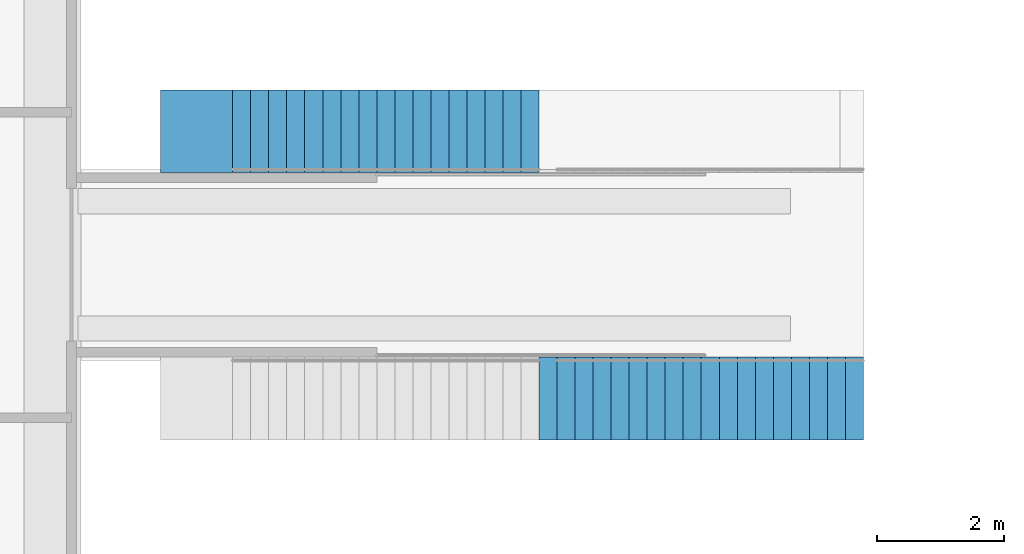
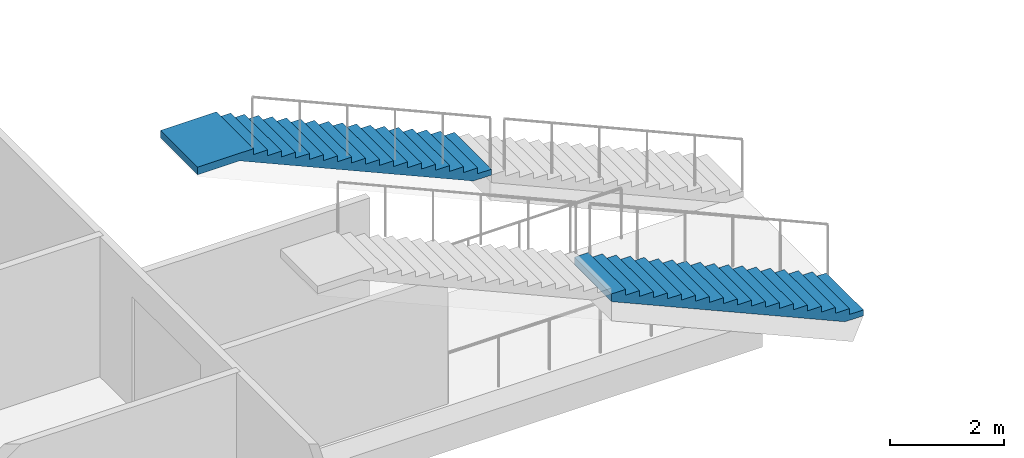
# One storey, part 86 of 175: 2 stair flights, 2 elements without a shape of their own.
"""IFC4 building model written with IfcOpenShell, lengths in metres."""

from ifc_helpers import new_model, si_unit, direction, frame, origin, place, context, subcontext, project, spatial, faceted_brep, material, type_object, element, aggregate, save


model = new_model("IFC4")

# Units and contexts
model_context = context("Model", 3, precision=1e-05, world=origin(), true_north=direction((0.0, 1.0)))
body_context = subcontext(model_context, "Body", "Model", "MODEL_VIEW")
ifc_project = project(units=[si_unit("LENGTHUNIT", "METRE"), si_unit("AREAUNIT", "SQUARE_METRE"), si_unit("VOLUMEUNIT", "CUBIC_METRE"), si_unit("PLANEANGLEUNIT", "RADIAN"), si_unit("MASSUNIT", "GRAM", prefix="KILO")], contexts=[model_context])

# Site, building, storey
site_placement = place(None, origin())
site = spatial("IfcSite", under=ifc_project, at=site_placement, CompositionType="ELEMENT")
building_placement = place(site_placement, origin())
building = spatial("IfcBuilding", under=site, at=building_placement, Name="Ogive Plaza Stadium", CompositionType="ELEMENT")
storey_placement = place(building_placement, origin())
storey = spatial("IfcBuildingStorey", under=building, at=storey_placement, Name="L00", CompositionType="ELEMENT", Elevation=0.0)

# Stair, stair flight
ifc_material_1 = material(Name="Concrete C40/50", Category="concrete")
stair_type = type_object("IfcStairType", Name="Aisle stair", PredefinedType="STRAIGHT_RUN_STAIR", material=ifc_material_1)
stair_1_placement = place(storey_placement, origin())
stair_1 = element("IfcStair", 1, at=stair_1_placement, inside=storey, type_object=stair_type, Name="Aisle stair SA25L", PredefinedType="STRAIGHT_RUN_STAIR")
ifc_material_2 = material(Name="Concrete C40/50", Category="concrete")
stair_flight_type = type_object("IfcStairFlightType", Name="Aisle stair flight", PredefinedType="STRAIGHT", material=ifc_material_2)
stair_flight_1_placement = place(storey_placement, frame((-54.25, 17.10009765625, 2.25), z_axis=(0.0, 0.0, 1.0), x_axis=(-1.0, 0.0, 0.0)))
stair_flight_1 = element("IfcStairFlight", 2, at=stair_flight_1_placement, type_object=stair_flight_type, Name="SA25L flight 2", NumberOfRisers=18, NumberOfTreads=17, PredefinedType="STRAIGHT", RiserHeight=0.125, TreadLength=0.283333333, context=body_context, shape_type="Brep", body=[
    faceted_brep([(0.371337890625, -0.64990234375, 0.0), (5.10009765625, -0.64990234375, 2.086181640625), (5.949951171875, -0.64990234375, 2.086181640625), (5.949951171875, -0.64990234375, 2.25), (4.816650390625, -0.64990234375, 2.25), (4.816650390625, -0.64990234375, 2.125), (4.533447265625, -0.64990234375, 2.125), (4.533447265625, -0.64990234375, 2.0), (4.25, -0.64990234375, 2.0), (4.25, -0.64990234375, 1.875), (3.966552734375, -0.64990234375, 1.875), (3.966552734375, -0.64990234375, 1.75), (3.683349609375, -0.64990234375, 1.75), (3.683349609375, -0.64990234375, 1.625), (3.39990234375, -0.64990234375, 1.625), (3.39990234375, -0.64990234375, 1.5), (3.11669921875, -0.64990234375, 1.5), (3.11669921875, -0.64990234375, 1.375), (2.833251953125, -0.64990234375, 1.375), (2.833251953125, -0.64990234375, 1.25), (2.550048828125, -0.64990234375, 1.25), (2.550048828125, -0.64990234375, 1.125), (2.2666015625, -0.64990234375, 1.125), (2.2666015625, -0.64990234375, 1.0), (1.9833984375, -0.64990234375, 1.0), (1.9833984375, -0.64990234375, 0.875), (1.699951171875, -0.64990234375, 0.875), (1.699951171875, -0.64990234375, 0.75), (1.416748046875, -0.64990234375, 0.75), (1.416748046875, -0.64990234375, 0.625), (1.13330078125, -0.64990234375, 0.625), (1.13330078125, -0.64990234375, 0.5), (0.85009765625, -0.64990234375, 0.5), (0.85009765625, -0.64990234375, 0.375), (0.566650390625, -0.64990234375, 0.375), (0.566650390625, -0.64990234375, 0.25), (0.283447265625, -0.64990234375, 0.25), (0.283447265625, -0.64990234375, 0.125), (0.0, -0.64990234375, 0.125), (0.0, -0.64990234375, 0.0), (0.0, 0.64990234375, 0.0), (0.0, 0.64990234375, 0.125), (0.283447265625, 0.64990234375, 0.125), (0.283447265625, 0.64990234375, 0.25), (0.566650390625, 0.64990234375, 0.25), (0.566650390625, 0.64990234375, 0.375), (0.85009765625, 0.64990234375, 0.375), (0.85009765625, 0.64990234375, 0.5), (1.13330078125, 0.64990234375, 0.5), (1.13330078125, 0.64990234375, 0.625), (1.416748046875, 0.64990234375, 0.625), (1.416748046875, 0.64990234375, 0.75), (1.699951171875, 0.64990234375, 0.75), (1.699951171875, 0.64990234375, 0.875), (1.9833984375, 0.64990234375, 0.875), (1.9833984375, 0.64990234375, 1.0), (2.2666015625, 0.64990234375, 1.0), (2.2666015625, 0.64990234375, 1.125), (2.550048828125, 0.64990234375, 1.125), (2.550048828125, 0.64990234375, 1.25), (2.833251953125, 0.64990234375, 1.25), (2.833251953125, 0.64990234375, 1.375), (3.11669921875, 0.64990234375, 1.375), (3.11669921875, 0.64990234375, 1.5), (3.39990234375, 0.64990234375, 1.5), (3.39990234375, 0.64990234375, 1.625), (3.683349609375, 0.64990234375, 1.625), (3.683349609375, 0.64990234375, 1.75), (3.966552734375, 0.64990234375, 1.75), (3.966552734375, 0.64990234375, 1.875), (4.25, 0.64990234375, 1.875), (4.25, 0.64990234375, 2.0), (4.533447265625, 0.64990234375, 2.0), (4.533447265625, 0.64990234375, 2.125), (4.816650390625, 0.64990234375, 2.125), (4.816650390625, 0.64990234375, 2.25), (5.949951171875, 0.64990234375, 2.25), (5.949951171875, 0.64990234375, 2.086181640625), (5.10009765625, 0.64990234375, 2.086181640625), (0.371337890625, 0.64990234375, 0.0), (0.371337890625, -0.324951171875, 0.0), (5.10009765625, -0.324951171875, 2.086181640625), (0.371337890625, 0.0, 0.0), (5.10009765625, 0.0, 2.086181640625), (0.371337890625, 0.324951171875, 0.0), (5.10009765625, 0.324951171875, 2.086181640625), (5.949951171875, -0.324951171875, 2.086181640625), (5.949951171875, 0.0, 2.086181640625), (5.949951171875, 0.324951171875, 2.086181640625), (5.949951171875, -0.324951171875, 2.25), (5.949951171875, 0.0, 2.25), (5.949951171875, 0.324951171875, 2.25), (4.816650390625, -0.324951171875, 2.25), (4.816650390625, 0.0, 2.25), (4.816650390625, 0.324951171875, 2.25), (4.816650390625, -0.324951171875, 2.125), (4.816650390625, 0.0, 2.125), (4.816650390625, 0.324951171875, 2.125), (4.533447265625, -0.324951171875, 2.125), (4.533447265625, 0.0, 2.125), (4.533447265625, 0.324951171875, 2.125), (4.533447265625, -0.324951171875, 2.0), (4.533447265625, 0.0, 2.0), (4.533447265625, 0.324951171875, 2.0), (4.25, -0.324951171875, 2.0), (4.25, 0.0, 2.0), (4.25, 0.324951171875, 2.0), (4.25, -0.324951171875, 1.875), (4.25, 0.0, 1.875), (4.25, 0.324951171875, 1.875), (3.966552734375, -0.324951171875, 1.875), (3.966552734375, 0.0, 1.875), (3.966552734375, 0.324951171875, 1.875), (3.966552734375, -0.324951171875, 1.75), (3.966552734375, 0.0, 1.75), (3.966552734375, 0.324951171875, 1.75), (3.683349609375, -0.324951171875, 1.75), (3.683349609375, 0.0, 1.75), (3.683349609375, 0.324951171875, 1.75), (3.683349609375, -0.324951171875, 1.625), (3.683349609375, 0.0, 1.625), (3.683349609375, 0.324951171875, 1.625), (3.39990234375, -0.324951171875, 1.625), (3.39990234375, 0.0, 1.625), (3.39990234375, 0.324951171875, 1.625), (3.39990234375, -0.324951171875, 1.5), (3.39990234375, 0.0, 1.5), (3.39990234375, 0.324951171875, 1.5), (3.11669921875, -0.324951171875, 1.5), (3.11669921875, 0.0, 1.5), (3.11669921875, 0.324951171875, 1.5), (3.11669921875, -0.324951171875, 1.375), (3.11669921875, 0.0, 1.375), (3.11669921875, 0.324951171875, 1.375), (2.833251953125, -0.324951171875, 1.375), (2.833251953125, 0.0, 1.375), (2.833251953125, 0.324951171875, 1.375), (2.833251953125, -0.324951171875, 1.25), (2.833251953125, 0.0, 1.25), (2.833251953125, 0.324951171875, 1.25), (2.550048828125, -0.324951171875, 1.25), (2.550048828125, 0.0, 1.25), (2.550048828125, 0.324951171875, 1.25), (2.550048828125, -0.324951171875, 1.125), (2.550048828125, 0.0, 1.125), (2.550048828125, 0.324951171875, 1.125), (2.2666015625, -0.324951171875, 1.125), (2.2666015625, 0.0, 1.125), (2.2666015625, 0.324951171875, 1.125), (2.2666015625, -0.324951171875, 1.0), (2.2666015625, 0.0, 1.0), (2.2666015625, 0.324951171875, 1.0), (1.9833984375, -0.324951171875, 1.0), (1.9833984375, 0.0, 1.0), (1.9833984375, 0.324951171875, 1.0), (1.9833984375, -0.324951171875, 0.875), (1.9833984375, 0.0, 0.875), (1.9833984375, 0.324951171875, 0.875), (1.699951171875, -0.324951171875, 0.875), (1.699951171875, 0.0, 0.875), (1.699951171875, 0.324951171875, 0.875), (1.699951171875, -0.324951171875, 0.75), (1.699951171875, 0.0, 0.75), (1.699951171875, 0.324951171875, 0.75), (1.416748046875, -0.324951171875, 0.75), (1.416748046875, 0.0, 0.75), (1.416748046875, 0.324951171875, 0.75), (1.416748046875, -0.324951171875, 0.625), (1.416748046875, 0.0, 0.625), (1.416748046875, 0.324951171875, 0.625), (1.13330078125, -0.324951171875, 0.625), (1.13330078125, 0.0, 0.625), (1.13330078125, 0.324951171875, 0.625), (1.13330078125, -0.324951171875, 0.5), (1.13330078125, 0.0, 0.5), (1.13330078125, 0.324951171875, 0.5), (0.85009765625, -0.324951171875, 0.5), (0.85009765625, 0.0, 0.5), (0.85009765625, 0.324951171875, 0.5), (0.85009765625, -0.324951171875, 0.375), (0.85009765625, 0.0, 0.375), (0.85009765625, 0.324951171875, 0.375), (0.566650390625, -0.324951171875, 0.375), (0.566650390625, 0.0, 0.375), (0.566650390625, 0.324951171875, 0.375), (0.566650390625, -0.324951171875, 0.25), (0.566650390625, 0.0, 0.25), (0.566650390625, 0.324951171875, 0.25), (0.283447265625, -0.324951171875, 0.25), (0.283447265625, 0.0, 0.25), (0.283447265625, 0.324951171875, 0.25), (0.283447265625, -0.324951171875, 0.125), (0.283447265625, 0.0, 0.125), (0.283447265625, 0.324951171875, 0.125), (0.0, -0.324951171875, 0.125), (0.0, 0.0, 0.125), (0.0, 0.324951171875, 0.125), (0.0, -0.324951171875, 0.0), (0.0, 0.0, 0.0), (0.0, 0.324951171875, 0.0)], [[[0, 1, 2, 3, 4, 5, 6, 7, 8, 9, 10, 11, 12, 13, 14, 15, 16, 17, 18, 19, 20, 21, 22, 23, 24, 25, 26, 27, 28, 29, 30, 31, 32, 33, 34, 35, 36, 37, 38, 39]], [[40, 41, 42, 43, 44, 45, 46, 47, 48, 49, 50, 51, 52, 53, 54, 55, 56, 57, 58, 59, 60, 61, 62, 63, 64, 65, 66, 67, 68, 69, 70, 71, 72, 73, 74, 75, 76, 77, 78, 79]], [[0, 80, 81, 1]], [[80, 82, 83, 81]], [[82, 84, 85, 83]], [[84, 79, 78, 85]], [[1, 81, 86, 2]], [[81, 83, 87, 86]], [[83, 85, 88, 87]], [[85, 78, 77, 88]], [[2, 86, 89, 3]], [[86, 87, 90, 89]], [[87, 88, 91, 90]], [[88, 77, 76, 91]], [[3, 89, 92, 4]], [[89, 90, 93, 92]], [[90, 91, 94, 93]], [[91, 76, 75, 94]], [[4, 92, 95, 5]], [[92, 93, 96, 95]], [[93, 94, 97, 96]], [[94, 75, 74, 97]], [[5, 95, 98, 6]], [[95, 96, 99, 98]], [[96, 97, 100, 99]], [[97, 74, 73, 100]], [[6, 98, 101, 7]], [[98, 99, 102, 101]], [[99, 100, 103, 102]], [[100, 73, 72, 103]], [[7, 101, 104, 8]], [[101, 102, 105, 104]], [[102, 103, 106, 105]], [[103, 72, 71, 106]], [[8, 104, 107, 9]], [[104, 105, 108, 107]], [[105, 106, 109, 108]], [[106, 71, 70, 109]], [[9, 107, 110, 10]], [[107, 108, 111, 110]], [[108, 109, 112, 111]], [[109, 70, 69, 112]], [[10, 110, 113, 11]], [[110, 111, 114, 113]], [[111, 112, 115, 114]], [[112, 69, 68, 115]], [[11, 113, 116, 12]], [[113, 114, 117, 116]], [[114, 115, 118, 117]], [[115, 68, 67, 118]], [[12, 116, 119, 13]], [[116, 117, 120, 119]], [[117, 118, 121, 120]], [[118, 67, 66, 121]], [[13, 119, 122, 14]], [[119, 120, 123, 122]], [[120, 121, 124, 123]], [[121, 66, 65, 124]], [[14, 122, 125, 15]], [[122, 123, 126, 125]], [[123, 124, 127, 126]], [[124, 65, 64, 127]], [[15, 125, 128, 16]], [[125, 126, 129, 128]], [[126, 127, 130, 129]], [[127, 64, 63, 130]], [[16, 128, 131, 17]], [[128, 129, 132, 131]], [[129, 130, 133, 132]], [[130, 63, 62, 133]], [[17, 131, 134, 18]], [[131, 132, 135, 134]], [[132, 133, 136, 135]], [[133, 62, 61, 136]], [[18, 134, 137, 19]], [[134, 135, 138, 137]], [[135, 136, 139, 138]], [[136, 61, 60, 139]], [[19, 137, 140, 20]], [[137, 138, 141, 140]], [[138, 139, 142, 141]], [[139, 60, 59, 142]], [[20, 140, 143, 21]], [[140, 141, 144, 143]], [[141, 142, 145, 144]], [[142, 59, 58, 145]], [[21, 143, 146, 22]], [[143, 144, 147, 146]], [[144, 145, 148, 147]], [[145, 58, 57, 148]], [[22, 146, 149, 23]], [[146, 147, 150, 149]], [[147, 148, 151, 150]], [[148, 57, 56, 151]], [[23, 149, 152, 24]], [[149, 150, 153, 152]], [[150, 151, 154, 153]], [[151, 56, 55, 154]], [[24, 152, 155, 25]], [[152, 153, 156, 155]], [[153, 154, 157, 156]], [[154, 55, 54, 157]], [[25, 155, 158, 26]], [[155, 156, 159, 158]], [[156, 157, 160, 159]], [[157, 54, 53, 160]], [[26, 158, 161, 27]], [[158, 159, 162, 161]], [[159, 160, 163, 162]], [[160, 53, 52, 163]], [[27, 161, 164, 28]], [[161, 162, 165, 164]], [[162, 163, 166, 165]], [[163, 52, 51, 166]], [[28, 164, 167, 29]], [[164, 165, 168, 167]], [[165, 166, 169, 168]], [[166, 51, 50, 169]], [[29, 167, 170, 30]], [[167, 168, 171, 170]], [[168, 169, 172, 171]], [[169, 50, 49, 172]], [[30, 170, 173, 31]], [[170, 171, 174, 173]], [[171, 172, 175, 174]], [[172, 49, 48, 175]], [[31, 173, 176, 32]], [[173, 174, 177, 176]], [[174, 175, 178, 177]], [[175, 48, 47, 178]], [[32, 176, 179, 33]], [[176, 177, 180, 179]], [[177, 178, 181, 180]], [[178, 47, 46, 181]], [[33, 179, 182, 34]], [[179, 180, 183, 182]], [[180, 181, 184, 183]], [[181, 46, 45, 184]], [[34, 182, 185, 35]], [[182, 183, 186, 185]], [[183, 184, 187, 186]], [[184, 45, 44, 187]], [[35, 185, 188, 36]], [[185, 186, 189, 188]], [[186, 187, 190, 189]], [[187, 44, 43, 190]], [[36, 188, 191, 37]], [[188, 189, 192, 191]], [[189, 190, 193, 192]], [[190, 43, 42, 193]], [[37, 191, 194, 38]], [[191, 192, 195, 194]], [[192, 193, 196, 195]], [[193, 42, 41, 196]], [[38, 194, 197, 39]], [[194, 195, 198, 197]], [[195, 196, 199, 198]], [[196, 41, 40, 199]], [[39, 197, 80, 0]], [[197, 198, 82, 80]], [[198, 199, 84, 82]], [[199, 40, 79, 84]]]),
])
aggregate(stair_1, [stair_flight_1])

stair_2_placement = place(storey_placement, origin())
stair_2 = element("IfcStair", 3, at=stair_2_placement, inside=storey, type_object=stair_type, Name="Aisle stair SA25R", PredefinedType="STRAIGHT_RUN_STAIR")
stair_flight_2_placement = place(storey_placement, frame((-49.14990234375, 12.89990234375, 0.0), z_axis=(0.0, 0.0, 1.0), x_axis=(-1.0, 0.0, 0.0)))
stair_flight_2 = element("IfcStairFlight", 4, at=stair_flight_2_placement, type_object=stair_flight_type, Name="SA25R flight 1", NumberOfRisers=18, NumberOfTreads=17, PredefinedType="STRAIGHT", RiserHeight=0.125, TreadLength=0.283333333, context=body_context, shape_type="Brep", body=[
    faceted_brep([(0.371337890625, -0.64990234375, 0.0), (5.10009765625, -0.64990234375, 2.086181640625), (5.10009765625, -0.64990234375, 2.25), (4.816650390625, -0.64990234375, 2.25), (4.816650390625, -0.64990234375, 2.125), (4.533447265625, -0.64990234375, 2.125), (4.533447265625, -0.64990234375, 2.0), (4.25, -0.64990234375, 2.0), (4.25, -0.64990234375, 1.875), (3.966552734375, -0.64990234375, 1.875), (3.966552734375, -0.64990234375, 1.75), (3.683349609375, -0.64990234375, 1.75), (3.683349609375, -0.64990234375, 1.625), (3.39990234375, -0.64990234375, 1.625), (3.39990234375, -0.64990234375, 1.5), (3.11669921875, -0.64990234375, 1.5), (3.11669921875, -0.64990234375, 1.375), (2.833251953125, -0.64990234375, 1.375), (2.833251953125, -0.64990234375, 1.25), (2.550048828125, -0.64990234375, 1.25), (2.550048828125, -0.64990234375, 1.125), (2.2666015625, -0.64990234375, 1.125), (2.2666015625, -0.64990234375, 1.0), (1.9833984375, -0.64990234375, 1.0), (1.9833984375, -0.64990234375, 0.875), (1.699951171875, -0.64990234375, 0.875), (1.699951171875, -0.64990234375, 0.75), (1.416748046875, -0.64990234375, 0.75), (1.416748046875, -0.64990234375, 0.625), (1.13330078125, -0.64990234375, 0.625), (1.13330078125, -0.64990234375, 0.5), (0.85009765625, -0.64990234375, 0.5), (0.85009765625, -0.64990234375, 0.375), (0.566650390625, -0.64990234375, 0.375), (0.566650390625, -0.64990234375, 0.25), (0.283447265625, -0.64990234375, 0.25), (0.283447265625, -0.64990234375, 0.125), (0.0, -0.64990234375, 0.125), (0.0, -0.64990234375, 0.0), (0.0, 0.64990234375, 0.0), (0.0, 0.64990234375, 0.125), (0.283447265625, 0.64990234375, 0.125), (0.283447265625, 0.64990234375, 0.25), (0.566650390625, 0.64990234375, 0.25), (0.566650390625, 0.64990234375, 0.375), (0.85009765625, 0.64990234375, 0.375), (0.85009765625, 0.64990234375, 0.5), (1.13330078125, 0.64990234375, 0.5), (1.13330078125, 0.64990234375, 0.625), (1.416748046875, 0.64990234375, 0.625), (1.416748046875, 0.64990234375, 0.75), (1.699951171875, 0.64990234375, 0.75), (1.699951171875, 0.64990234375, 0.875), (1.9833984375, 0.64990234375, 0.875), (1.9833984375, 0.64990234375, 1.0), (2.2666015625, 0.64990234375, 1.0), (2.2666015625, 0.64990234375, 1.125), (2.550048828125, 0.64990234375, 1.125), (2.550048828125, 0.64990234375, 1.25), (2.833251953125, 0.64990234375, 1.25), (2.833251953125, 0.64990234375, 1.375), (3.11669921875, 0.64990234375, 1.375), (3.11669921875, 0.64990234375, 1.5), (3.39990234375, 0.64990234375, 1.5), (3.39990234375, 0.64990234375, 1.625), (3.683349609375, 0.64990234375, 1.625), (3.683349609375, 0.64990234375, 1.75), (3.966552734375, 0.64990234375, 1.75), (3.966552734375, 0.64990234375, 1.875), (4.25, 0.64990234375, 1.875), (4.25, 0.64990234375, 2.0), (4.533447265625, 0.64990234375, 2.0), (4.533447265625, 0.64990234375, 2.125), (4.816650390625, 0.64990234375, 2.125), (4.816650390625, 0.64990234375, 2.25), (5.10009765625, 0.64990234375, 2.25), (5.10009765625, 0.64990234375, 2.086181640625), (0.371337890625, 0.64990234375, 0.0), (0.371337890625, -0.324951171875, 0.0), (5.10009765625, -0.324951171875, 2.086181640625), (0.371337890625, 0.0, 0.0), (5.10009765625, 0.0, 2.086181640625), (0.371337890625, 0.324951171875, 0.0), (5.10009765625, 0.324951171875, 2.086181640625), (5.10009765625, -0.324951171875, 2.25), (5.10009765625, 0.0, 2.25), (5.10009765625, 0.324951171875, 2.25), (4.816650390625, -0.324951171875, 2.25), (4.816650390625, 0.0, 2.25), (4.816650390625, 0.324951171875, 2.25), (4.816650390625, -0.324951171875, 2.125), (4.816650390625, 0.0, 2.125), (4.816650390625, 0.324951171875, 2.125), (4.533447265625, -0.324951171875, 2.125), (4.533447265625, 0.0, 2.125), (4.533447265625, 0.324951171875, 2.125), (4.533447265625, -0.324951171875, 2.0), (4.533447265625, 0.0, 2.0), (4.533447265625, 0.324951171875, 2.0), (4.25, -0.324951171875, 2.0), (4.25, 0.0, 2.0), (4.25, 0.324951171875, 2.0), (4.25, -0.324951171875, 1.875), (4.25, 0.0, 1.875), (4.25, 0.324951171875, 1.875), (3.966552734375, -0.324951171875, 1.875), (3.966552734375, 0.0, 1.875), (3.966552734375, 0.324951171875, 1.875), (3.966552734375, -0.324951171875, 1.75), (3.966552734375, 0.0, 1.75), (3.966552734375, 0.324951171875, 1.75), (3.683349609375, -0.324951171875, 1.75), (3.683349609375, 0.0, 1.75), (3.683349609375, 0.324951171875, 1.75), (3.683349609375, -0.324951171875, 1.625), (3.683349609375, 0.0, 1.625), (3.683349609375, 0.324951171875, 1.625), (3.39990234375, -0.324951171875, 1.625), (3.39990234375, 0.0, 1.625), (3.39990234375, 0.324951171875, 1.625), (3.39990234375, -0.324951171875, 1.5), (3.39990234375, 0.0, 1.5), (3.39990234375, 0.324951171875, 1.5), (3.11669921875, -0.324951171875, 1.5), (3.11669921875, 0.0, 1.5), (3.11669921875, 0.324951171875, 1.5), (3.11669921875, -0.324951171875, 1.375), (3.11669921875, 0.0, 1.375), (3.11669921875, 0.324951171875, 1.375), (2.833251953125, -0.324951171875, 1.375), (2.833251953125, 0.0, 1.375), (2.833251953125, 0.324951171875, 1.375), (2.833251953125, -0.324951171875, 1.25), (2.833251953125, 0.0, 1.25), (2.833251953125, 0.324951171875, 1.25), (2.550048828125, -0.324951171875, 1.25), (2.550048828125, 0.0, 1.25), (2.550048828125, 0.324951171875, 1.25), (2.550048828125, -0.324951171875, 1.125), (2.550048828125, 0.0, 1.125), (2.550048828125, 0.324951171875, 1.125), (2.2666015625, -0.324951171875, 1.125), (2.2666015625, 0.0, 1.125), (2.2666015625, 0.324951171875, 1.125), (2.2666015625, -0.324951171875, 1.0), (2.2666015625, 0.0, 1.0), (2.2666015625, 0.324951171875, 1.0), (1.9833984375, -0.324951171875, 1.0), (1.9833984375, 0.0, 1.0), (1.9833984375, 0.324951171875, 1.0), (1.9833984375, -0.324951171875, 0.875), (1.9833984375, 0.0, 0.875), (1.9833984375, 0.324951171875, 0.875), (1.699951171875, -0.324951171875, 0.875), (1.699951171875, 0.0, 0.875), (1.699951171875, 0.324951171875, 0.875), (1.699951171875, -0.324951171875, 0.75), (1.699951171875, 0.0, 0.75), (1.699951171875, 0.324951171875, 0.75), (1.416748046875, -0.324951171875, 0.75), (1.416748046875, 0.0, 0.75), (1.416748046875, 0.324951171875, 0.75), (1.416748046875, -0.324951171875, 0.625), (1.416748046875, 0.0, 0.625), (1.416748046875, 0.324951171875, 0.625), (1.13330078125, -0.324951171875, 0.625), (1.13330078125, 0.0, 0.625), (1.13330078125, 0.324951171875, 0.625), (1.13330078125, -0.324951171875, 0.5), (1.13330078125, 0.0, 0.5), (1.13330078125, 0.324951171875, 0.5), (0.85009765625, -0.324951171875, 0.5), (0.85009765625, 0.0, 0.5), (0.85009765625, 0.324951171875, 0.5), (0.85009765625, -0.324951171875, 0.375), (0.85009765625, 0.0, 0.375), (0.85009765625, 0.324951171875, 0.375), (0.566650390625, -0.324951171875, 0.375), (0.566650390625, 0.0, 0.375), (0.566650390625, 0.324951171875, 0.375), (0.566650390625, -0.324951171875, 0.25), (0.566650390625, 0.0, 0.25), (0.566650390625, 0.324951171875, 0.25), (0.283447265625, -0.324951171875, 0.25), (0.283447265625, 0.0, 0.25), (0.283447265625, 0.324951171875, 0.25), (0.283447265625, -0.324951171875, 0.125), (0.283447265625, 0.0, 0.125), (0.283447265625, 0.324951171875, 0.125), (0.0, -0.324951171875, 0.125), (0.0, 0.0, 0.125), (0.0, 0.324951171875, 0.125), (0.0, -0.324951171875, 0.0), (0.0, 0.0, 0.0), (0.0, 0.324951171875, 0.0)], [[[0, 1, 2, 3, 4, 5, 6, 7, 8, 9, 10, 11, 12, 13, 14, 15, 16, 17, 18, 19, 20, 21, 22, 23, 24, 25, 26, 27, 28, 29, 30, 31, 32, 33, 34, 35, 36, 37, 38]], [[39, 40, 41, 42, 43, 44, 45, 46, 47, 48, 49, 50, 51, 52, 53, 54, 55, 56, 57, 58, 59, 60, 61, 62, 63, 64, 65, 66, 67, 68, 69, 70, 71, 72, 73, 74, 75, 76, 77]], [[0, 78, 79, 1]], [[78, 80, 81, 79]], [[80, 82, 83, 81]], [[82, 77, 76, 83]], [[1, 79, 84, 2]], [[79, 81, 85, 84]], [[81, 83, 86, 85]], [[83, 76, 75, 86]], [[2, 84, 87, 3]], [[84, 85, 88, 87]], [[85, 86, 89, 88]], [[86, 75, 74, 89]], [[3, 87, 90, 4]], [[87, 88, 91, 90]], [[88, 89, 92, 91]], [[89, 74, 73, 92]], [[4, 90, 93, 5]], [[90, 91, 94, 93]], [[91, 92, 95, 94]], [[92, 73, 72, 95]], [[5, 93, 96, 6]], [[93, 94, 97, 96]], [[94, 95, 98, 97]], [[95, 72, 71, 98]], [[6, 96, 99, 7]], [[96, 97, 100, 99]], [[97, 98, 101, 100]], [[98, 71, 70, 101]], [[7, 99, 102, 8]], [[99, 100, 103, 102]], [[100, 101, 104, 103]], [[101, 70, 69, 104]], [[8, 102, 105, 9]], [[102, 103, 106, 105]], [[103, 104, 107, 106]], [[104, 69, 68, 107]], [[9, 105, 108, 10]], [[105, 106, 109, 108]], [[106, 107, 110, 109]], [[107, 68, 67, 110]], [[10, 108, 111, 11]], [[108, 109, 112, 111]], [[109, 110, 113, 112]], [[110, 67, 66, 113]], [[11, 111, 114, 12]], [[111, 112, 115, 114]], [[112, 113, 116, 115]], [[113, 66, 65, 116]], [[12, 114, 117, 13]], [[114, 115, 118, 117]], [[115, 116, 119, 118]], [[116, 65, 64, 119]], [[13, 117, 120, 14]], [[117, 118, 121, 120]], [[118, 119, 122, 121]], [[119, 64, 63, 122]], [[14, 120, 123, 15]], [[120, 121, 124, 123]], [[121, 122, 125, 124]], [[122, 63, 62, 125]], [[15, 123, 126, 16]], [[123, 124, 127, 126]], [[124, 125, 128, 127]], [[125, 62, 61, 128]], [[16, 126, 129, 17]], [[126, 127, 130, 129]], [[127, 128, 131, 130]], [[128, 61, 60, 131]], [[17, 129, 132, 18]], [[129, 130, 133, 132]], [[130, 131, 134, 133]], [[131, 60, 59, 134]], [[18, 132, 135, 19]], [[132, 133, 136, 135]], [[133, 134, 137, 136]], [[134, 59, 58, 137]], [[19, 135, 138, 20]], [[135, 136, 139, 138]], [[136, 137, 140, 139]], [[137, 58, 57, 140]], [[20, 138, 141, 21]], [[138, 139, 142, 141]], [[139, 140, 143, 142]], [[140, 57, 56, 143]], [[21, 141, 144, 22]], [[141, 142, 145, 144]], [[142, 143, 146, 145]], [[143, 56, 55, 146]], [[22, 144, 147, 23]], [[144, 145, 148, 147]], [[145, 146, 149, 148]], [[146, 55, 54, 149]], [[23, 147, 150, 24]], [[147, 148, 151, 150]], [[148, 149, 152, 151]], [[149, 54, 53, 152]], [[24, 150, 153, 25]], [[150, 151, 154, 153]], [[151, 152, 155, 154]], [[152, 53, 52, 155]], [[25, 153, 156, 26]], [[153, 154, 157, 156]], [[154, 155, 158, 157]], [[155, 52, 51, 158]], [[26, 156, 159, 27]], [[156, 157, 160, 159]], [[157, 158, 161, 160]], [[158, 51, 50, 161]], [[27, 159, 162, 28]], [[159, 160, 163, 162]], [[160, 161, 164, 163]], [[161, 50, 49, 164]], [[28, 162, 165, 29]], [[162, 163, 166, 165]], [[163, 164, 167, 166]], [[164, 49, 48, 167]], [[29, 165, 168, 30]], [[165, 166, 169, 168]], [[166, 167, 170, 169]], [[167, 48, 47, 170]], [[30, 168, 171, 31]], [[168, 169, 172, 171]], [[169, 170, 173, 172]], [[170, 47, 46, 173]], [[31, 171, 174, 32]], [[171, 172, 175, 174]], [[172, 173, 176, 175]], [[173, 46, 45, 176]], [[32, 174, 177, 33]], [[174, 175, 178, 177]], [[175, 176, 179, 178]], [[176, 45, 44, 179]], [[33, 177, 180, 34]], [[177, 178, 181, 180]], [[178, 179, 182, 181]], [[179, 44, 43, 182]], [[34, 180, 183, 35]], [[180, 181, 184, 183]], [[181, 182, 185, 184]], [[182, 43, 42, 185]], [[35, 183, 186, 36]], [[183, 184, 187, 186]], [[184, 185, 188, 187]], [[185, 42, 41, 188]], [[36, 186, 189, 37]], [[186, 187, 190, 189]], [[187, 188, 191, 190]], [[188, 41, 40, 191]], [[37, 189, 192, 38]], [[189, 190, 193, 192]], [[190, 191, 194, 193]], [[191, 40, 39, 194]], [[38, 192, 78, 0]], [[192, 193, 80, 78]], [[193, 194, 82, 80]], [[194, 39, 77, 82]]]),
])
aggregate(stair_2, [stair_flight_2])

save(model, "model.ifc")
